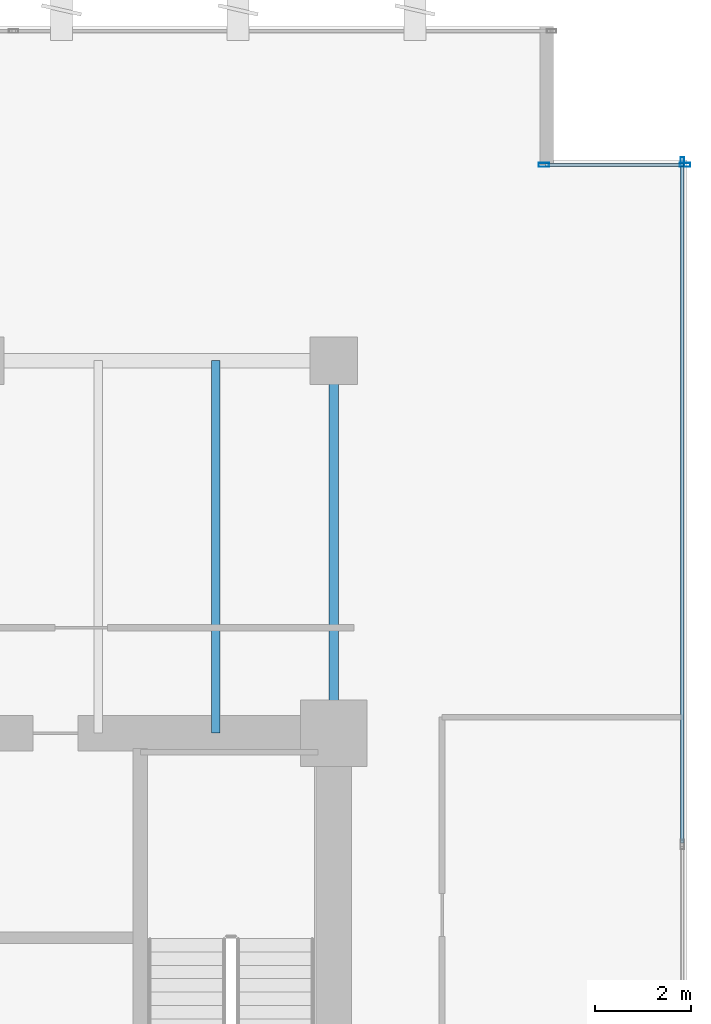
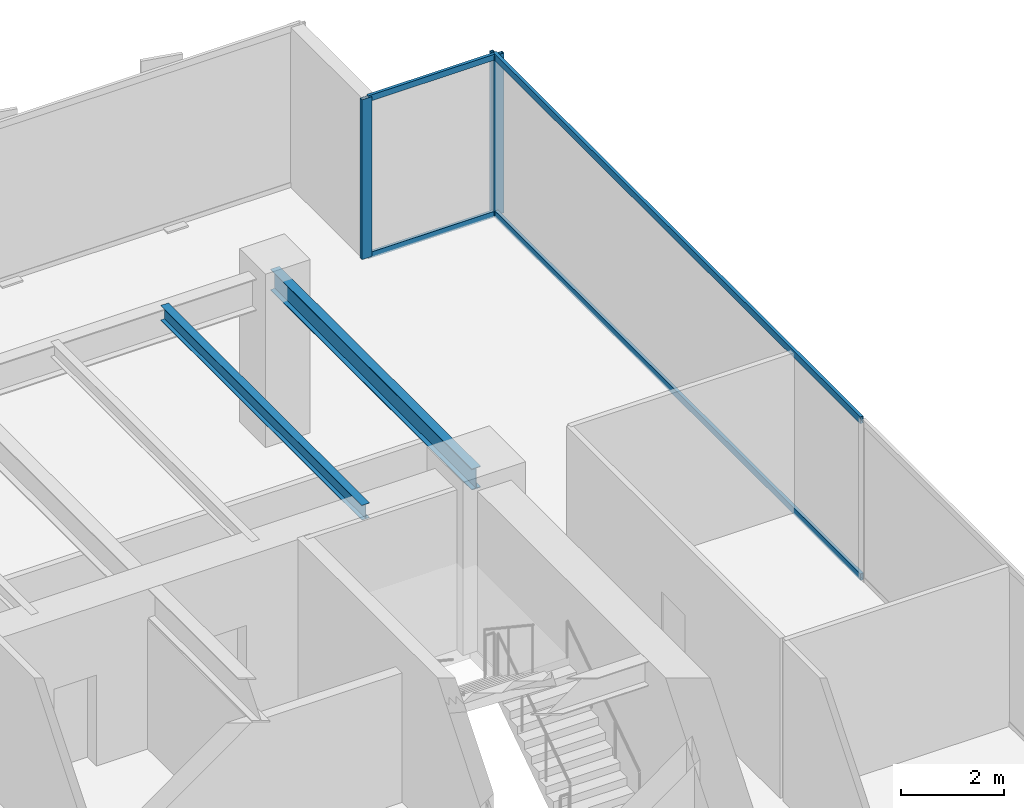
# One storey, part 26 of 36: 7 members, 2 beams, 2 elements without a shape of their own.
"""IFC4 building model written with IfcOpenShell, lengths in metres."""

from ifc_helpers import new_model, si_unit, direction, frame, origin, origin_2d, place, context, subcontext, project, spatial, hollow_rectangle, i_section, extrude, source, transform, mapped, material, layer, layer_set, material_profile, profile_set, type_object, type_shapes, element, aggregate, save


model = new_model("IFC4")

# Units and contexts
model_context = context("Model", 3, precision=1e-05, world=origin(), true_north=direction((0.0, 1.0)))
body_context = subcontext(model_context, "Body", "Model", "MODEL_VIEW")
ifc_project = project(units=[si_unit("LENGTHUNIT", "METRE"), si_unit("AREAUNIT", "SQUARE_METRE"), si_unit("VOLUMEUNIT", "CUBIC_METRE"), si_unit("PLANEANGLEUNIT", "RADIAN"), si_unit("MASSUNIT", "GRAM", prefix="KILO")], contexts=[model_context])

# Site, building, storey
site_placement = place(None, origin())
site = spatial("IfcSite", under=ifc_project, at=site_placement, CompositionType="ELEMENT")
building_placement = place(site_placement, origin())
building = spatial("IfcBuilding", under=site, at=building_placement, Name="Haelvirn Gate Laboratories", CompositionType="ELEMENT")
storey_placement = place(building_placement, frame((0.0, 0.0, 29.300048828125)))
storey = spatial("IfcBuildingStorey", under=building, at=storey_placement, Name="L07", CompositionType="ELEMENT", Elevation=29.300048828125)

# Beams
ifc_material_1 = material(Name="Steel SM355", Category="steel")
ifc_material_profile_1 = material_profile(ifc_material_1, i_section(OverallWidth=0.199951171875, OverallDepth=0.5, WebThickness=0.010009765625, FlangeThickness=0.01611328125, at=origin_2d()), Name="H-500x200x10x16")
ifc_profile_set_1 = profile_set([ifc_material_profile_1], Name="Steel SM355")
beam_type_1 = type_object("IfcBeamType", Name="BM-SP-500", PredefinedType="SPANDREL", material=ifc_profile_set_1)
shared_shape_1 = source(origin(), body_context, "Body", "SweptSolid", [
    extrude(i_section(OverallWidth=0.199951171875, OverallDepth=0.5, WebThickness=0.010009765625, FlangeThickness=0.01611328125, at=origin_2d()), origin(), (0.0, 0.0, 1.0), 7.800048828125),
])
type_shapes(beam_type_1, [shared_shape_1])
beam_1_placement = place(storey_placement, frame((67.39990234375, 33.800048828125, 3.530029296875), z_axis=(0.0, 1.0, 0.0), x_axis=(-1.0, 0.0, 0.0)))
element("IfcBeam", 1, at=beam_1_placement, inside=storey, type_object=beam_type_1, Name="L07 Perimeter Spandrel X67.4 (33.8-41.6)", PredefinedType="SPANDREL", context=body_context, shape_type="MappedRepresentation", body=[
    mapped(shared_shape_1, transform((0.0, 0.0, 0.0), scale=1.0)),
])
ifc_material_profile_2 = material_profile(ifc_material_1, i_section(OverallWidth=0.175048828125, OverallDepth=0.35009765625, WebThickness=0.007080078125, FlangeThickness=0.010986328125, at=origin_2d()), Name="H-350x175x7x11")
ifc_profile_set_2 = profile_set([ifc_material_profile_2], Name="Steel SM355")
beam_type_2 = type_object("IfcBeamType", Name="BM-J-350", PredefinedType="JOIST", material=ifc_profile_set_2)
shared_shape_2 = source(origin(), body_context, "Body", "SweptSolid", [
    extrude(i_section(OverallWidth=0.175048828125, OverallDepth=0.35009765625, WebThickness=0.007080078125, FlangeThickness=0.010986328125, at=origin_2d()), origin(), (0.0, 0.0, 1.0), 7.800048828125),
])
type_shapes(beam_type_2, [shared_shape_2])
beam_2_placement = place(storey_placement, frame((64.929931640625, 33.800048828125, 3.60498046875), z_axis=(0.0, 1.0, 0.0), x_axis=(-1.0, 0.0, 0.0)))
element("IfcBeam", 2, at=beam_2_placement, inside=storey, type_object=beam_type_2, Name="L07 Composite Lab Joist North X64.93", PredefinedType="JOIST", context=body_context, shape_type="MappedRepresentation", body=[
    mapped(shared_shape_2, transform((0.0, 0.0, 0.0), scale=1.0)),
])

# Curtain wall, member
ifc_material_2 = material(Name="Anodised bronze unitised aluminium & triple low-E glass", Category="aluminium")
ifc_layer_1 = layer(ifc_material_2, 0.18408203125, Name="CW-SYS-2")
ifc_layer_set_1 = layer_set([ifc_layer_1], Name="Anodised bronze unitised aluminium & triple low-E glass")
curtain_wall_type_1 = type_object("IfcCurtainWallType", Name="CW-SYS-2", PredefinedType="NOTDEFINED", material=ifc_layer_set_1)
curtain_wall_1_placement = place(storey_placement, origin())
curtain_wall_1 = element("IfcCurtainWall", 3, at=curtain_wall_1_placement, inside=storey, type_object=curtain_wall_type_1, Name="L07 Unitised Curtain Wall CW-L07-P0-E07", PredefinedType="NOTDEFINED")
ifc_material_3 = material(Name="Extruded aluminium 6063-T6 (anodised bronze)", Category="aluminium")
ifc_material_profile_3 = material_profile(ifc_material_3, hollow_rectangle(XDim=0.074951171875, YDim=0.199951171875, WallThickness=0.0048828125, at=origin_2d()), Name="CWM-200x75x5")
ifc_profile_set_3 = profile_set([ifc_material_profile_3], Name="Extruded aluminium 6063-T6 (anodised bronze)")
member_type_1 = type_object("IfcMemberType", Name="CWM-T200", PredefinedType="MULLION", material=ifc_profile_set_3)
shared_shape_3 = source(origin(), body_context, "Body", "SweptSolid", [
    extrude(hollow_rectangle(XDim=0.074951171875, YDim=0.199951171875, WallThickness=0.0048828125, at=origin_2d()), origin(), (0.0, 0.0, 1.0), 3.780029296875),
])
type_shapes(member_type_1, [shared_shape_3])
member_1_placement = place(storey_placement, frame((74.699951171875, 45.762451171875, 0.0), z_axis=(0.0, 0.0, 1.0), x_axis=(-1.0, 0.0, 0.0)))
member_1 = element("IfcMember", 4, at=member_1_placement, type_object=member_type_1, Name="CW2 mullion 4", PredefinedType="MULLION", context=body_context, shape_type="MappedRepresentation", body=[
    mapped(shared_shape_3, transform((0.0, 0.0, 0.0), scale=1.0)),
])

# Curtain wall, members
ifc_layer_2 = layer(ifc_material_2, 0.181884765625, Name="CW-SYS-5")
ifc_layer_set_2 = layer_set([ifc_layer_2], Name="Anodised bronze unitised aluminium & triple low-E glass")
curtain_wall_type_2 = type_object("IfcCurtainWallType", Name="CW-SYS-5", PredefinedType="NOTDEFINED", material=ifc_layer_set_2)
curtain_wall_2_placement = place(storey_placement, origin())
curtain_wall_2 = element("IfcCurtainWall", 5, at=curtain_wall_2_placement, inside=storey, type_object=curtain_wall_type_2, Name="L07 Unitised Curtain Wall CW-L07-P0-E08-1", PredefinedType="NOTDEFINED")
ifc_material_profile_4 = material_profile(ifc_material_3, hollow_rectangle(XDim=0.080078125, YDim=0.219970703125, WallThickness=0.006103515625, at=origin_2d()), Name="CWM-220x80x6")
ifc_profile_set_4 = profile_set([ifc_material_profile_4], Name="Extruded aluminium 6063-T6 (anodised bronze)")
member_type_2 = type_object("IfcMemberType", Name="CWM-T220", PredefinedType="MULLION", material=ifc_profile_set_4)
shared_shape_4 = source(origin(), body_context, "Body", "SweptSolid", [
    extrude(hollow_rectangle(XDim=0.080078125, YDim=0.219970703125, WallThickness=0.006103515625, at=origin_2d()), origin(), (0.0, 0.0, 1.0), 3.780029296875),
])
type_shapes(member_type_2, [shared_shape_4])
member_2_placement = place(storey_placement, frame((71.800048828125, 45.699951171875, 0.0), z_axis=(0.0, 0.0, 1.0), x_axis=(0.0, 1.0, 0.0)))
member_2 = element("IfcMember", 6, at=member_2_placement, type_object=member_type_2, Name="CW5 mullion 1", PredefinedType="MULLION", context=body_context, shape_type="MappedRepresentation", body=[
    mapped(shared_shape_4, transform((0.0, 0.0, 0.0), scale=1.0)),
])
member_3_placement = place(storey_placement, frame((74.760009765625, 45.699951171875, 0.0), z_axis=(0.0, 0.0, 1.0), x_axis=(0.0, 1.0, 0.0)))
member_3 = element("IfcMember", 7, at=member_3_placement, type_object=member_type_2, Name="CW5 mullion 2", PredefinedType="MULLION", context=body_context, shape_type="MappedRepresentation", body=[
    mapped(shared_shape_4, transform((0.0, 0.0, 0.0), scale=1.0)),
])
ifc_material_profile_5 = material_profile(ifc_material_3, hollow_rectangle(XDim=0.06494140625, YDim=0.139892578125, WallThickness=0.00390625, at=origin_2d()), Name="CWT-140x65x4")
ifc_profile_set_5 = profile_set([ifc_material_profile_5], Name="Extruded aluminium 6063-T6 (anodised bronze)")
member_type_3 = type_object("IfcMemberType", Name="CWT-T140", PredefinedType="USERDEFINED", material=ifc_profile_set_5)
shared_shape_5 = source(origin(), body_context, "Body", "SweptSolid", [
    extrude(hollow_rectangle(XDim=0.06494140625, YDim=0.139892578125, WallThickness=0.00390625, at=origin_2d()), origin(), (0.0, 0.0, 1.0), 2.8798828125),
])
type_shapes(member_type_3, [shared_shape_5])
member_4_placement = place(storey_placement, frame((71.840087890625, 45.699951171875, 0.032470703125), z_axis=(1.0, 0.0, 0.0), x_axis=(0.0, 1.0, 0.0)))
member_4 = element("IfcMember", 8, at=member_4_placement, type_object=member_type_3, Name="CW5 transom 1.1", ObjectType="TRANSOM", PredefinedType="USERDEFINED", context=body_context, shape_type="MappedRepresentation", body=[
    mapped(shared_shape_5, transform((0.0, 0.0, 0.0), scale=1.0)),
])
member_5_placement = place(storey_placement, frame((71.840087890625, 45.699951171875, 3.74755859375), z_axis=(1.0, 0.0, 0.0), x_axis=(0.0, 1.0, 0.0)))
member_5 = element("IfcMember", 9, at=member_5_placement, type_object=member_type_3, Name="CW5 transom 1.2", ObjectType="TRANSOM", PredefinedType="USERDEFINED", context=body_context, shape_type="MappedRepresentation", body=[
    mapped(shared_shape_5, transform((0.0, 0.0, 0.0), scale=1.0)),
])
aggregate(curtain_wall_2, [member_2, member_3, member_4, member_5])

# Member
ifc_material_profile_6 = material_profile(ifc_material_3, hollow_rectangle(XDim=0.070068359375, YDim=0.159912109375, WallThickness=0.0048828125, at=origin_2d()), Name="CWT-160x70x5")
ifc_profile_set_6 = profile_set([ifc_material_profile_6], Name="Extruded aluminium 6063-T6 (anodised bronze)")
member_type_4 = type_object("IfcMemberType", Name="CWT-T160", PredefinedType="USERDEFINED", material=ifc_profile_set_6)
shared_shape_6 = source(origin(), body_context, "Body", "SweptSolid", [
    extrude(hollow_rectangle(XDim=0.070068359375, YDim=0.159912109375, WallThickness=0.0048828125, at=origin_2d()), origin(), (0.0, 0.0, 1.0), 14.220947265625),
])
type_shapes(member_type_4, [shared_shape_6])
member_6_placement = place(storey_placement, frame((74.699951171875, 31.504150390625, 0.034912109375), z_axis=(0.0, 1.0, 0.0), x_axis=(-1.0, 0.0, 0.0)))
member_6 = element("IfcMember", 10, at=member_6_placement, type_object=member_type_4, Name="CW2 transom 3.1", ObjectType="TRANSOM", PredefinedType="USERDEFINED", context=body_context, shape_type="MappedRepresentation", body=[
    mapped(shared_shape_6, transform((0.0, 0.0, 0.0), scale=1.0)),
])

member_7_placement = place(storey_placement, frame((74.699951171875, 31.504150390625, 3.744873046875), z_axis=(0.0, 1.0, 0.0), x_axis=(-1.0, 0.0, 0.0)))
member_7 = element("IfcMember", 11, at=member_7_placement, type_object=member_type_4, Name="CW2 transom 3.2", ObjectType="TRANSOM", PredefinedType="USERDEFINED", context=body_context, shape_type="MappedRepresentation", body=[
    mapped(shared_shape_6, transform((0.0, 0.0, 0.0), scale=1.0)),
])

aggregate(curtain_wall_1, [member_1, member_6, member_7])

save(model, "model.ifc")
